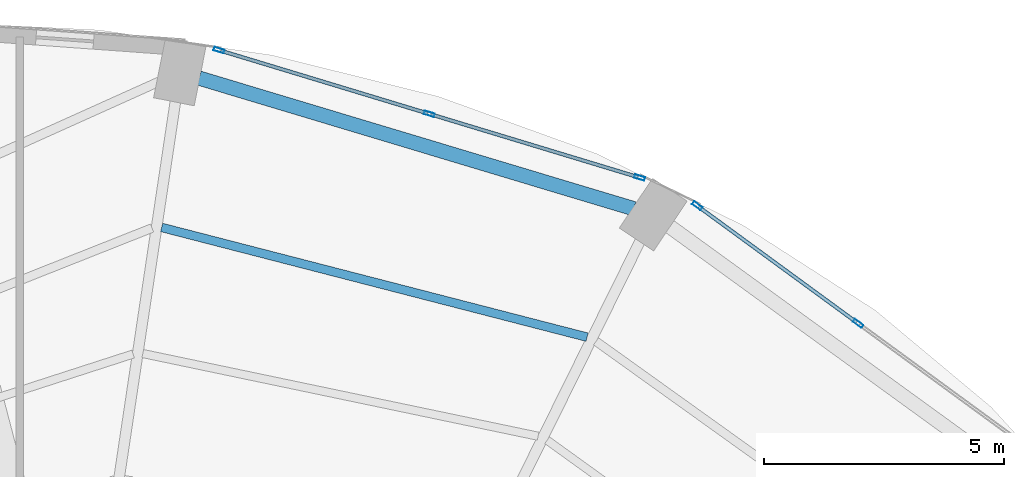
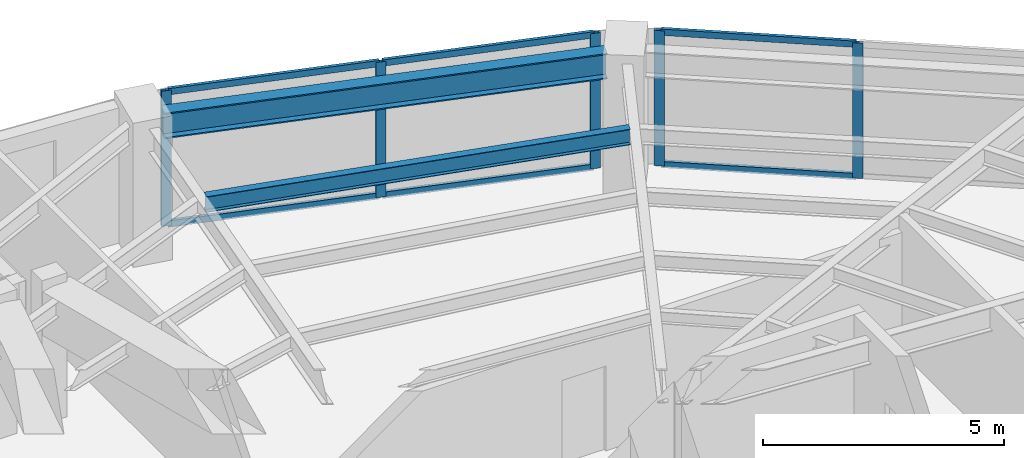
# One storey, part 17 of 24: 11 members, 2 beams, 2 elements without a shape of their own.
"""IFC4 building model written with IfcOpenShell, lengths in metres."""

from ifc_helpers import new_model, si_unit, direction, frame, origin, origin_2d, place, context, subcontext, project, spatial, hollow_rectangle, i_section, extrude, material, layer, layer_set, material_profile, profile_set, type_object, element, aggregate, save


model = new_model("IFC4")

# Units and contexts
model_context = context("Model", 3, precision=1e-05, world=origin(), true_north=direction((0.0, 1.0)))
body_context = subcontext(model_context, "Body", "Model", "MODEL_VIEW")
ifc_project = project(units=[si_unit("LENGTHUNIT", "METRE"), si_unit("AREAUNIT", "SQUARE_METRE"), si_unit("VOLUMEUNIT", "CUBIC_METRE"), si_unit("PLANEANGLEUNIT", "RADIAN"), si_unit("MASSUNIT", "GRAM", prefix="KILO")], contexts=[model_context])

# Site, building, storey
site_placement = place(None, origin())
site = spatial("IfcSite", under=ifc_project, at=site_placement, CompositionType="ELEMENT")
building_placement = place(site_placement, origin())
building = spatial("IfcBuilding", under=site, at=building_placement, Name="Lazwardi Medical Tower", CompositionType="ELEMENT")
storey_placement = place(building_placement, frame((0.0, 0.0, 61.679931640625)))
storey = spatial("IfcBuildingStorey", under=building, at=storey_placement, Name="L15", CompositionType="ELEMENT", Elevation=61.679931640625)

# Beams
ifc_material_1 = material(Name="Steel S355", Category="steel")
ifc_material_profile_1 = material_profile(ifc_material_1, i_section(OverallWidth=0.300048828125, OverallDepth=0.64990234375, WebThickness=0.01611328125, FlangeThickness=0.031005859375, at=origin_2d()), Name="HEB 650")
ifc_profile_set_1 = profile_set([ifc_material_profile_1], Name="Steel S355")
beam_type_1 = type_object("IfcBeamType", Name="BM-RB-Z1", PredefinedType="BEAM", material=ifc_profile_set_1)
beam_1_placement = place(storey_placement, frame((50.77880859375, 47.0048828125, 3.10302734375), z_axis=(-0.957695289269, 0.287784177662, 0.0), x_axis=(-0.287784177662, -0.957695289269, 0.0)))
element("IfcBeam", 1, at=beam_1_placement, inside=storey, type_object=beam_type_1, Name="Ring beam RB-02 B07 L15", PredefinedType="BEAM", context=body_context, shape_type="SweptSolid", body=[
    extrude(i_section(OverallWidth=0.300048828125, OverallDepth=0.64990234375, WebThickness=0.01611328125, FlangeThickness=0.031005859375, at=origin_2d()), origin(), (0.0, 0.0, 1.0), 9.445556640625),
])
ifc_material_profile_2 = material_profile(ifc_material_1, i_section(OverallWidth=0.179931640625, OverallDepth=0.39990234375, WebThickness=0.008544921875, FlangeThickness=0.013427734375, at=origin_2d()), Name="IPE 400")
ifc_profile_set_2 = profile_set([ifc_material_profile_2], Name="Steel S355")
beam_type_2 = type_object("IfcBeamType", Name="BM-SJ-01", PredefinedType="JOIST", material=ifc_profile_set_2)
beam_2_placement = place(storey_placement, frame((49.804931640625, 44.333251953125, 3.22802734375), z_axis=(-0.968316918308, 0.249724539682, 0.0), x_axis=(-0.249724539682, -0.968316918308, 0.0)))
element("IfcBeam", 2, at=beam_2_placement, inside=storey, type_object=beam_type_2, Name="Secondary joist SJ-01 R1 B07 L15", PredefinedType="JOIST", context=body_context, shape_type="SweptSolid", body=[
    extrude(i_section(OverallWidth=0.179931640625, OverallDepth=0.39990234375, WebThickness=0.008544921875, FlangeThickness=0.013427734375, at=origin_2d()), origin(), (0.0, 0.0, 1.0), 9.140869140625),
])

# Curtain wall, members
ifc_material_2 = material(Name="Anodised bronze aluminium and solar control glazing", Category="aluminium")
ifc_layer = layer(ifc_material_2, 0.199951171875)
ifc_layer_set = layer_set([ifc_layer], Name="Anodised bronze aluminium and solar control glazing")
curtain_wall_type = type_object("IfcCurtainWallType", Name="CW-SYS-02", PredefinedType="NOTDEFINED", material=ifc_layer_set)
curtain_wall_1_placement = place(storey_placement, origin())
curtain_wall_1 = element("IfcCurtainWall", 3, at=curtain_wall_1_placement, inside=storey, type_object=curtain_wall_type, Name="L15 Unitised bronze curtain wall CW-02", PredefinedType="NOTDEFINED")
ifc_material_3 = material(Name="Anodised bronze aluminium", Category="aluminium")
ifc_material_profile_3 = material_profile(ifc_material_3, hollow_rectangle(XDim=0.074951171875, YDim=0.219970703125, WallThickness=0.00390625, at=origin_2d()), Name="ALU-MULLION 220x75x4")
ifc_profile_set_3 = profile_set([ifc_material_profile_3], Name="Anodised bronze aluminium")
member_type_1 = type_object("IfcMemberType", Name="CW-MUL-01", PredefinedType="MULLION", material=ifc_profile_set_3)
member_1_placement = place(storey_placement, frame((55.4443359375, 44.619384765625, 0.0), z_axis=(0.0, 0.0, 1.0), x_axis=(-0.590289307341, -0.807191757663, 0.0)))
member_1 = element("IfcMember", 4, at=member_1_placement, type_object=member_type_1, Name="CW-02 mullion 2", PredefinedType="MULLION", context=body_context, shape_type="SweptSolid", body=[
    extrude(hollow_rectangle(XDim=0.074951171875, YDim=0.219970703125, WallThickness=0.00390625, at=origin_2d()), origin(), (0.0, 0.0, 1.0), 3.427978515625),
])
member_2_placement = place(storey_placement, frame((52.0986328125, 47.066162109375, 0.0), z_axis=(0.0, 0.0, 1.0), x_axis=(-0.590289307341, -0.807191757663, 0.0)))
member_2 = element("IfcMember", 5, at=member_2_placement, type_object=member_type_1, Name="CW-02 mullion 3", PredefinedType="MULLION", context=body_context, shape_type="SweptSolid", body=[
    extrude(hollow_rectangle(XDim=0.074951171875, YDim=0.219970703125, WallThickness=0.00390625, at=origin_2d()), origin(), (0.0, 0.0, 1.0), 3.427978515625),
])

curtain_wall_2_placement = place(storey_placement, origin())
curtain_wall_2 = element("IfcCurtainWall", 6, at=curtain_wall_2_placement, inside=storey, type_object=curtain_wall_type, Name="L15 Unitised bronze curtain wall CW-02", PredefinedType="NOTDEFINED")
member_3_placement = place(storey_placement, frame((50.8984375, 47.653076171875, 0.0), z_axis=(0.0, 0.0, 1.0), x_axis=(-0.2898956909, -0.957058247129, 0.0)))
member_3 = element("IfcMember", 7, at=member_3_placement, type_object=member_type_1, Name="CW-02 mullion 1", PredefinedType="MULLION", context=body_context, shape_type="SweptSolid", body=[
    extrude(hollow_rectangle(XDim=0.074951171875, YDim=0.219970703125, WallThickness=0.00390625, at=origin_2d()), origin(), (0.0, 0.0, 1.0), 3.427978515625),
])
member_4_placement = place(storey_placement, frame((46.523193359375, 48.978515625, 0.0), z_axis=(0.0, 0.0, 1.0), x_axis=(-0.2898956909, -0.957058247129, 0.0)))
member_4 = element("IfcMember", 8, at=member_4_placement, type_object=member_type_1, Name="CW-02 mullion 2", PredefinedType="MULLION", context=body_context, shape_type="SweptSolid", body=[
    extrude(hollow_rectangle(XDim=0.074951171875, YDim=0.219970703125, WallThickness=0.00390625, at=origin_2d()), origin(), (0.0, 0.0, 1.0), 3.427978515625),
])
member_5_placement = place(storey_placement, frame((42.14794921875, 50.3037109375, 0.0), z_axis=(0.0, 0.0, 1.0), x_axis=(-0.2898956909, -0.957058247129, 0.0)))
member_5 = element("IfcMember", 9, at=member_5_placement, type_object=member_type_1, Name="CW-02 mullion 3", PredefinedType="MULLION", context=body_context, shape_type="SweptSolid", body=[
    extrude(hollow_rectangle(XDim=0.074951171875, YDim=0.219970703125, WallThickness=0.00390625, at=origin_2d()), origin(), (0.0, 0.0, 1.0), 3.427978515625),
])

# Member
ifc_material_profile_4 = material_profile(ifc_material_3, hollow_rectangle(XDim=0.074951171875, YDim=0.159912109375, WallThickness=0.00390625, at=origin_2d()), Name="ALU-TRANSOM 160x75x4")
ifc_profile_set_4 = profile_set([ifc_material_profile_4], Name="Anodised bronze aluminium")
member_type_2 = type_object("IfcMemberType", Name="CW-TRN-01", PredefinedType="USERDEFINED", material=ifc_profile_set_4)
member_6_placement = place(storey_placement, frame((55.4140625, 44.641357421875, 0.03759765625), z_axis=(-0.807169053975, 0.590320352271, 0.0), x_axis=(-0.590320352271, -0.807169053975, 0.0)))
member_6 = element("IfcMember", 10, at=member_6_placement, type_object=member_type_2, Name="CW-02 transom 2.1", ObjectType="TRANSOM", PredefinedType="USERDEFINED", context=body_context, shape_type="SweptSolid", body=[
    extrude(hollow_rectangle(XDim=0.074951171875, YDim=0.159912109375, WallThickness=0.00390625, at=origin_2d()), origin(), (0.0, 0.0, 1.0), 4.070068359375),
])

member_7_placement = place(storey_placement, frame((55.4140625, 44.641357421875, 3.390625), z_axis=(-0.807169053975, 0.590320352271, 0.0), x_axis=(-0.590320352271, -0.807169053975, 0.0)))
member_7 = element("IfcMember", 11, at=member_7_placement, type_object=member_type_2, Name="CW-02 transom 2.2", ObjectType="TRANSOM", PredefinedType="USERDEFINED", context=body_context, shape_type="SweptSolid", body=[
    extrude(hollow_rectangle(XDim=0.074951171875, YDim=0.159912109375, WallThickness=0.00390625, at=origin_2d()), origin(), (0.0, 0.0, 1.0), 4.070068359375),
])

aggregate(curtain_wall_1, [member_1, member_2, member_6, member_7])

member_8_placement = place(storey_placement, frame((50.862548828125, 47.6640625, 0.03759765625), z_axis=(-0.957062297904, 0.289882317383, 0.0), x_axis=(-0.289882317383, -0.957062297904, 0.0)))
member_8 = element("IfcMember", 12, at=member_8_placement, type_object=member_type_2, Name="CW-02 transom 1.1", ObjectType="TRANSOM", PredefinedType="USERDEFINED", context=body_context, shape_type="SweptSolid", body=[
    extrude(hollow_rectangle(XDim=0.074951171875, YDim=0.159912109375, WallThickness=0.00390625, at=origin_2d()), origin(), (0.0, 0.0, 1.0), 4.49658203125),
])

member_9_placement = place(storey_placement, frame((50.862548828125, 47.6640625, 3.390625), z_axis=(-0.957062297904, 0.289882317383, 0.0), x_axis=(-0.289882317383, -0.957062297904, 0.0)))
member_9 = element("IfcMember", 13, at=member_9_placement, type_object=member_type_2, Name="CW-02 transom 1.2", ObjectType="TRANSOM", PredefinedType="USERDEFINED", context=body_context, shape_type="SweptSolid", body=[
    extrude(hollow_rectangle(XDim=0.074951171875, YDim=0.159912109375, WallThickness=0.00390625, at=origin_2d()), origin(), (0.0, 0.0, 1.0), 4.49658203125),
])

member_10_placement = place(storey_placement, frame((46.4873046875, 48.9892578125, 0.03759765625), z_axis=(-0.957047233423, 0.28993204893, 0.0), x_axis=(-0.28993204893, -0.957047233423, 0.0)))
member_10 = element("IfcMember", 14, at=member_10_placement, type_object=member_type_2, Name="CW-02 transom 2.1", ObjectType="TRANSOM", PredefinedType="USERDEFINED", context=body_context, shape_type="SweptSolid", body=[
    extrude(hollow_rectangle(XDim=0.074951171875, YDim=0.159912109375, WallThickness=0.00390625, at=origin_2d()), origin(), (0.0, 0.0, 1.0), 4.49658203125),
])

member_11_placement = place(storey_placement, frame((46.4873046875, 48.9892578125, 3.390625), z_axis=(-0.957047233423, 0.28993204893, 0.0), x_axis=(-0.28993204893, -0.957047233423, 0.0)))
member_11 = element("IfcMember", 15, at=member_11_placement, type_object=member_type_2, Name="CW-02 transom 2.2", ObjectType="TRANSOM", PredefinedType="USERDEFINED", context=body_context, shape_type="SweptSolid", body=[
    extrude(hollow_rectangle(XDim=0.074951171875, YDim=0.159912109375, WallThickness=0.00390625, at=origin_2d()), origin(), (0.0, 0.0, 1.0), 4.49658203125),
])

aggregate(curtain_wall_2, [member_3, member_4, member_5, member_8, member_9, member_10, member_11])

save(model, "model.ifc")
